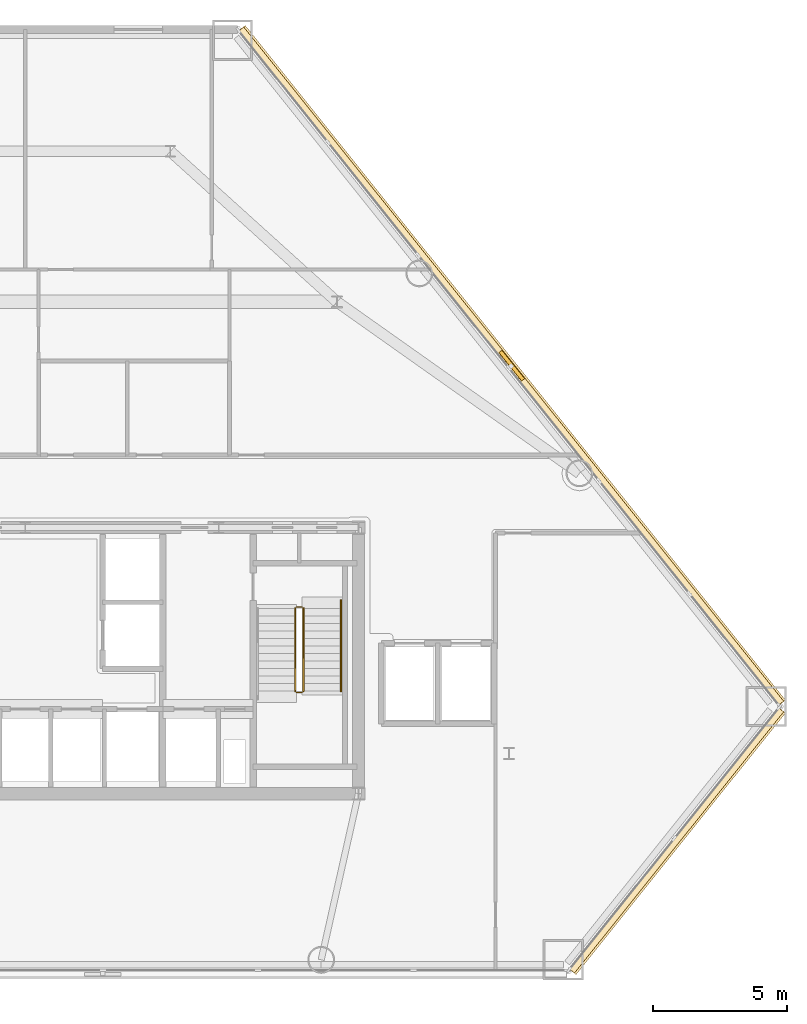
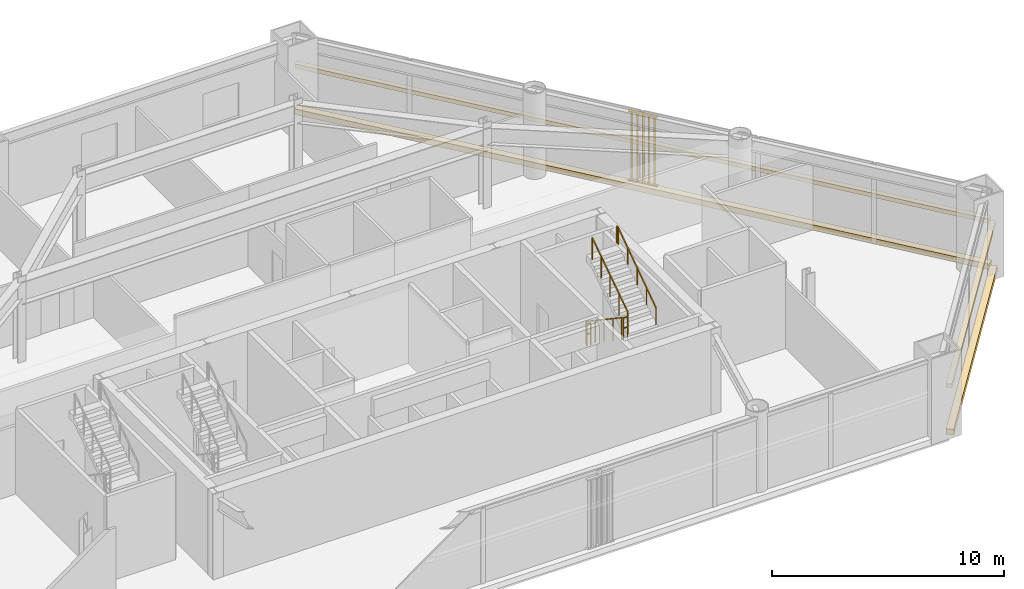
# One storey, part 13 of 13: 5 railings, 4 coverings, 1 shading device.
"""IFC4 building model written with IfcOpenShell, lengths in metres."""

from ifc_helpers import new_model, si_unit, direction, frame, origin, origin_2d, place, context, subcontext, project, spatial, rectangle, extrude, source, transform, mapped, material, layer, layer_set, type_object, type_shapes, element, save


model = new_model("IFC4")

# Units and contexts
model_context = context("Model", 3, precision=1e-05, world=origin(), true_north=direction((0.0, 1.0)))
body_context = subcontext(model_context, "Body", "Model", "MODEL_VIEW")
ifc_project = project(units=[si_unit("LENGTHUNIT", "METRE"), si_unit("AREAUNIT", "SQUARE_METRE"), si_unit("VOLUMEUNIT", "CUBIC_METRE"), si_unit("PLANEANGLEUNIT", "RADIAN"), si_unit("MASSUNIT", "GRAM", prefix="KILO")], contexts=[model_context])

# Site, building, storey
site_placement = place(None, origin())
site = spatial("IfcSite", under=ifc_project, at=site_placement, CompositionType="ELEMENT")
building_placement = place(site_placement, origin())
building = spatial("IfcBuilding", under=site, at=building_placement, Name="Talgorran Terracotta Tower", CompositionType="ELEMENT")
storey_placement = place(building_placement, frame((0.0, 0.0, 9.89990234375)))
storey = spatial("IfcBuildingStorey", under=building, at=storey_placement, Name="L02", CompositionType="ELEMENT", Elevation=9.89990234375)

# Coverings
ifc_material_1 = material(Name="Kiln-Fired Terracotta Ochre Ceramic", Category="masonry")
ifc_layer_1 = layer(ifc_material_1, 0.179931640625, Name="COV_BAGUETTE_TERRACOTTA_SCREEN")
ifc_layer_set_1 = layer_set([ifc_layer_1], Name="Kiln-Fired Terracotta Ochre Ceramic")
covering_type_1 = type_object("IfcCoveringType", Name="COV_BAGUETTE_TERRACOTTA_SCREEN", PredefinedType="CLADDING", material=ifc_layer_set_1)
covering_1_placement = place(storey_placement, frame((24.226318359375, -15.83056640625, 2.41015625), z_axis=(0.0, 0.0, 1.0), x_axis=(0.625120058901, 0.780528610597, 0.0)))
element("IfcCovering", 1, at=covering_1_placement, inside=storey, type_object=covering_type_1, Name="L02 Terracotta Baguette Solar Screen Assembly F2", PredefinedType="CLADDING", context=body_context, shape_type="SweptSolid", body=[
    extrude(rectangle(XDim=12.4462890625, YDim=0.260009765625, at=origin_2d()), origin(), (0.0, 0.0, 1.0), 0.219970703125),
])
covering_2_placement = place(storey_placement, frame((18.072509765625, 1.802490234375, 2.41015625), z_axis=(0.0, 0.0, 1.0), x_axis=(-0.625120058901, 0.780528610597, 0.0)))
element("IfcCovering", 2, at=covering_2_placement, inside=storey, type_object=covering_type_1, Name="L02 Terracotta Baguette Solar Screen Assembly F3", PredefinedType="CLADDING", context=body_context, shape_type="SweptSolid", body=[
    extrude(rectangle(XDim=32.135498046875, YDim=0.260009765625, at=origin_2d()), origin(), (0.0, 0.0, 1.0), 0.219970703125),
])
ifc_material_2 = material(Name="Honed Limestone Cladding", Category="masonry")
ifc_layer_2 = layer(ifc_material_2, 0.094970703125, Name="COV_PORTAL_LIME")
ifc_layer_set_2 = layer_set([ifc_layer_2], Name="Honed Limestone Cladding")
covering_type_2 = type_object("IfcCoveringType", Name="COV_PORTAL_LIME", PredefinedType="CLADDING", material=ifc_layer_set_2)
covering_3_placement = place(storey_placement, frame((24.257568359375, -15.85546875, -0.0400390625), z_axis=(0.0, 0.0, 1.0), x_axis=(0.625120058901, 0.780528610597, 0.0)))
element("IfcCovering", 3, at=covering_3_placement, inside=storey, type_object=covering_type_2, Name="L02 Striped Postmodern Portal Cladding Band F2", PredefinedType="CLADDING", context=body_context, shape_type="SweptSolid", body=[
    extrude(rectangle(XDim=12.46630859375, YDim=0.340087890625, at=origin_2d()), origin(), (0.0, 0.0, 1.0), 0.300048828125),
])
covering_4_placement = place(storey_placement, frame((18.103515625, 1.827392578125, -0.0400390625), z_axis=(0.0, 0.0, 1.0), x_axis=(-0.625120058901, 0.780528610597, 0.0)))
element("IfcCovering", 4, at=covering_4_placement, inside=storey, type_object=covering_type_2, Name="L02 Striped Postmodern Portal Cladding Band F3", PredefinedType="CLADDING", context=body_context, shape_type="SweptSolid", body=[
    extrude(rectangle(XDim=32.155517578125, YDim=0.340087890625, at=origin_2d()), origin(), (0.0, 0.0, 1.0), 0.300048828125),
])

# Railings
ifc_material_3 = material(Name="Steel S355 (300PLUS)", Category="steel")
railing_type_1 = type_object("IfcRailingType", Name="RL_HANDRAIL_920", PredefinedType="HANDRAIL", material=ifc_material_3)
railing_1_placement = place(storey_placement, frame((11.75, -10.280029296875, 2.4375)))
element("IfcRailing", 5, at=railing_1_placement, inside=storey, type_object=railing_type_1, Name="L02 ST-02 stair handrail 2", PredefinedType="HANDRAIL", context=body_context, shape_type="SweptSolid", body=[
    extrude(rectangle(XDim=0.048095703125, YDim=0.048095703125, at=origin_2d()), frame((0.0, 0.0, 0.89599609375), z_axis=(0.0, 0.82301009837, 0.568026740551), x_axis=(-1.0, 0.0, 0.0)), (0.0, 0.0, 1.0), 3.961181640625),
    extrude(rectangle(XDim=0.048095703125, YDim=0.048095703125, at=origin_2d()), frame((0.0, 3.260009765625, 3.14599609375), z_axis=(0.0, 1.0, 0.0), x_axis=(-1.0, 0.0, 0.0)), (0.0, 0.0, 1.0), 0.1201171875),
    extrude(rectangle(XDim=0.0419921875, YDim=0.0419921875, at=origin_2d()), origin(), (0.0, 0.0, 1.0), 0.871826171875),
    extrude(rectangle(XDim=0.0419921875, YDim=0.0419921875, at=origin_2d()), frame((0.0, 0.81494140625, 0.5625)), (0.0, 0.0, 1.0), 0.871826171875),
    extrude(rectangle(XDim=0.0419921875, YDim=0.0419921875, at=origin_2d()), frame((0.0, 1.6298828125, 1.125)), (0.0, 0.0, 1.0), 0.871826171875),
    extrude(rectangle(XDim=0.0419921875, YDim=0.0419921875, at=origin_2d()), frame((0.0, 2.445068359375, 1.6875)), (0.0, 0.0, 1.0), 0.871826171875),
    extrude(rectangle(XDim=0.0419921875, YDim=0.0419921875, at=origin_2d()), frame((0.0, 3.260009765625, 2.25)), (0.0, 0.0, 1.0), 0.871826171875),
    extrude(rectangle(XDim=0.0419921875, YDim=0.0419921875, at=origin_2d()), frame((0.0, 3.380126953125, 2.25)), (0.0, 0.0, 1.0), 0.871826171875),
])
railing_type_2 = type_object("IfcRailingType", Name="RL_STAIR_GUARD", PredefinedType="GUARDRAIL", material=ifc_material_3)
railing_2_placement = place(storey_placement, frame((10.050048828125, -7.199951171875, 0.1875)))
element("IfcRailing", 6, at=railing_2_placement, inside=storey, type_object=railing_type_2, Name="L02 ST-02 stair guard 1", PredefinedType="GUARDRAIL", context=body_context, shape_type="SweptSolid", body=[
    extrude(rectangle(XDim=0.048095703125, YDim=0.048095703125, at=origin_2d()), frame((0.0, 0.0, 1.15576171875), z_axis=(0.0, -0.830913701846, 0.55640131208), x_axis=(1.0, 0.0, 0.0)), (0.0, 0.0, 1.0), 3.706787109375),
    extrude(rectangle(XDim=0.0419921875, YDim=0.0419921875, at=origin_2d()), origin(), (0.0, 0.0, 1.0), 1.1318359375),
    extrude(rectangle(XDim=0.0419921875, YDim=0.0419921875, at=origin_2d()), frame((0.0, -0.77001953125, 0.515625)), (0.0, 0.0, 1.0), 1.1318359375),
    extrude(rectangle(XDim=0.0419921875, YDim=0.0419921875, at=origin_2d()), frame((0.0, -1.5400390625, 1.03125)), (0.0, 0.0, 1.0), 1.1318359375),
    extrude(rectangle(XDim=0.0419921875, YDim=0.0419921875, at=origin_2d()), frame((0.0, -2.31005859375, 1.546875)), (0.0, 0.0, 1.0), 1.1318359375),
    extrude(rectangle(XDim=0.0419921875, YDim=0.0419921875, at=origin_2d()), frame((0.0, -3.080078125, 2.0625)), (0.0, 0.0, 1.0), 1.1318359375),
])
railing_3_placement = place(storey_placement, frame((10.10009765625, -10.330078125, 2.25)))
element("IfcRailing", 7, at=railing_3_placement, inside=storey, type_object=railing_type_2, Name="L02 ST-02 stair guard 2", PredefinedType="GUARDRAIL", context=body_context, shape_type="SweptSolid", body=[
    extrude(rectangle(XDim=0.048095703125, YDim=0.048095703125, at=origin_2d()), frame((0.0, 0.0, 1.15576171875), z_axis=(1.0, 0.0, 0.0), x_axis=(0.0, 1.0, 0.0)), (0.0, 0.0, 1.0), 0.199951171875),
    extrude(rectangle(XDim=0.048095703125, YDim=0.048095703125, at=origin_2d()), frame((0.0, 0.0, 0.613525390625), z_axis=(1.0, 0.0, 0.0), x_axis=(0.0, 1.0, 0.0)), (0.0, 0.0, 1.0), 0.199951171875),
    extrude(rectangle(XDim=0.0419921875, YDim=0.0419921875, at=origin_2d()), origin(), (0.0, 0.0, 1.0), 1.1318359375),
    extrude(rectangle(XDim=0.0419921875, YDim=0.0419921875, at=origin_2d()), frame((0.199951171875, 0.0, 0.0)), (0.0, 0.0, 1.0), 1.1318359375),
])
railing_4_placement = place(storey_placement, frame((10.35009765625, -10.280029296875, 2.4375)))
element("IfcRailing", 8, at=railing_4_placement, inside=storey, type_object=railing_type_2, Name="L02 ST-02 stair guard 3", PredefinedType="GUARDRAIL", context=body_context, shape_type="SweptSolid", body=[
    extrude(rectangle(XDim=0.048095703125, YDim=0.048095703125, at=origin_2d()), frame((0.0, 0.0, 1.15576171875), z_axis=(0.0, 0.830913701846, 0.55640131208), x_axis=(-1.0, 0.0, 0.0)), (0.0, 0.0, 1.0), 3.706787109375),
    extrude(rectangle(XDim=0.0419921875, YDim=0.0419921875, at=origin_2d()), origin(), (0.0, 0.0, 1.0), 1.1318359375),
    extrude(rectangle(XDim=0.0419921875, YDim=0.0419921875, at=origin_2d()), frame((0.0, 0.77001953125, 0.515625)), (0.0, 0.0, 1.0), 1.1318359375),
    extrude(rectangle(XDim=0.0419921875, YDim=0.0419921875, at=origin_2d()), frame((0.0, 1.5400390625, 1.03125)), (0.0, 0.0, 1.0), 1.1318359375),
    extrude(rectangle(XDim=0.0419921875, YDim=0.0419921875, at=origin_2d()), frame((0.0, 2.31005859375, 1.546875)), (0.0, 0.0, 1.0), 1.1318359375),
    extrude(rectangle(XDim=0.0419921875, YDim=0.0419921875, at=origin_2d()), frame((0.0, 3.080078125, 2.0625)), (0.0, 0.0, 1.0), 1.1318359375),
])
railing_5_placement = place(storey_placement, frame((10.10009765625, -7.14990234375, 0.0)))
element("IfcRailing", 9, at=railing_5_placement, inside=storey, type_object=railing_type_2, Name="L02 ST-02 stair guard 4", PredefinedType="GUARDRAIL", context=body_context, shape_type="SweptSolid", body=[
    extrude(rectangle(XDim=0.048095703125, YDim=0.048095703125, at=origin_2d()), frame((0.0, 0.0, 1.15576171875), z_axis=(1.0, 0.0, 0.0), x_axis=(0.0, 1.0, 0.0)), (0.0, 0.0, 1.0), 0.199951171875),
    extrude(rectangle(XDim=0.048095703125, YDim=0.048095703125, at=origin_2d()), frame((0.0, 0.0, 0.613525390625), z_axis=(1.0, 0.0, 0.0), x_axis=(0.0, 1.0, 0.0)), (0.0, 0.0, 1.0), 0.199951171875),
    extrude(rectangle(XDim=0.0419921875, YDim=0.0419921875, at=origin_2d()), origin(), (0.0, 0.0, 1.0), 1.1318359375),
    extrude(rectangle(XDim=0.0419921875, YDim=0.0419921875, at=origin_2d()), frame((0.199951171875, 0.0, 0.0)), (0.0, 0.0, 1.0), 1.1318359375),
])

# Shading device
ifc_material_4 = material(Name="Kiln-Fired Terracotta", Category="masonry")
ifc_layer_3 = layer(ifc_material_4, 0.139892578125, Name="SHD_BAGUETTE_TERRA")
ifc_layer_set_3 = layer_set([ifc_layer_3], Name="Kiln-Fired Terracotta")
shading_device_type = type_object("IfcShadingDeviceType", Name="SHD_BAGUETTE_TERRA", PredefinedType="JALOUSIE", material=ifc_layer_set_3)
shared_shape = source(origin(), body_context, "Body", "SweptSolid", [
    extrude(rectangle(XDim=1.35009765625, YDim=0.139892578125, at=origin_2d()), origin(), (0.0, 0.0, 1.0), 0.054931640625),
    extrude(rectangle(XDim=1.35009765625, YDim=0.139892578125, at=origin_2d()), frame((0.0, 0.0, 3.614990234375)), (0.0, 0.0, 1.0), 0.054931640625),
    extrude(rectangle(XDim=0.074951171875, YDim=0.139892578125, at=origin_2d()), frame((-0.53515625, 0.0, 0.054931640625), z_axis=(0.0, 0.0, 1.0), x_axis=(0.866025403784, 0.5, 0.0)), (0.0, 0.0, 1.0), 3.56005859375),
    extrude(rectangle(XDim=0.074951171875, YDim=0.139892578125, at=origin_2d()), frame((-0.267578125, 0.0, 0.054931640625), z_axis=(0.0, 0.0, 1.0), x_axis=(0.866025403784, 0.5, 0.0)), (0.0, 0.0, 1.0), 3.56005859375),
    extrude(rectangle(XDim=0.074951171875, YDim=0.139892578125, at=origin_2d()), frame((0.0, 0.0, 0.054931640625), z_axis=(0.0, 0.0, 1.0), x_axis=(0.866025403784, 0.5, 0.0)), (0.0, 0.0, 1.0), 3.56005859375),
    extrude(rectangle(XDim=0.074951171875, YDim=0.139892578125, at=origin_2d()), frame((0.267578125, 0.0, 0.054931640625), z_axis=(0.0, 0.0, 1.0), x_axis=(0.866025403784, 0.5, 0.0)), (0.0, 0.0, 1.0), 3.56005859375),
    extrude(rectangle(XDim=0.074951171875, YDim=0.139892578125, at=origin_2d()), frame((0.53515625, 0.0, 0.054931640625), z_axis=(0.0, 0.0, 1.0), x_axis=(0.866025403784, 0.5, 0.0)), (0.0, 0.0, 1.0), 3.56005859375),
])
type_shapes(shading_device_type, [shared_shape])
shading_device_placement = place(storey_placement, frame((18.103759765625, 1.827392578125, 0.35009765625), z_axis=(0.0, 0.0, 1.0), x_axis=(-0.625120058901, 0.780528610597, 0.0)))
element("IfcShadingDevice", 10, at=shading_device_placement, inside=storey, type_object=shading_device_type, Name="BAG-L02-F3", PredefinedType="JALOUSIE", context=body_context, shape_type="MappedRepresentation", body=[
    mapped(shared_shape, transform((0.0, 0.0, 0.0), scale=1.0)),
])

save(model, "model.ifc")
